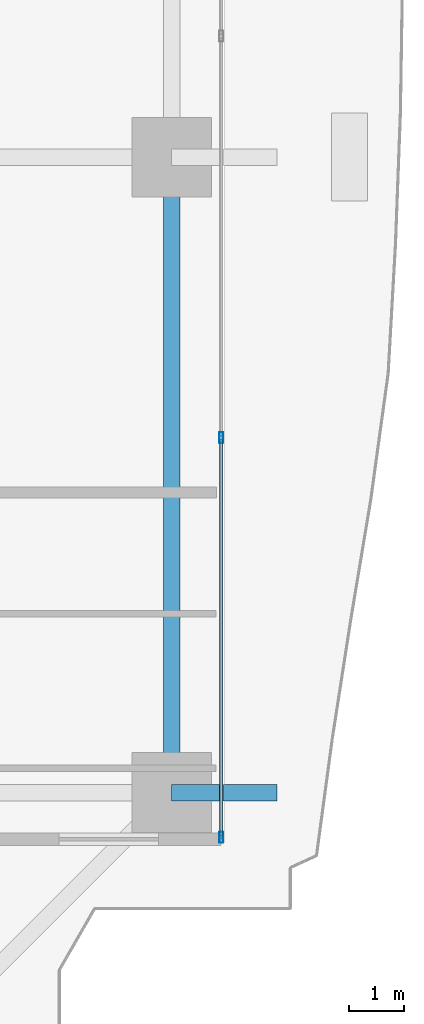
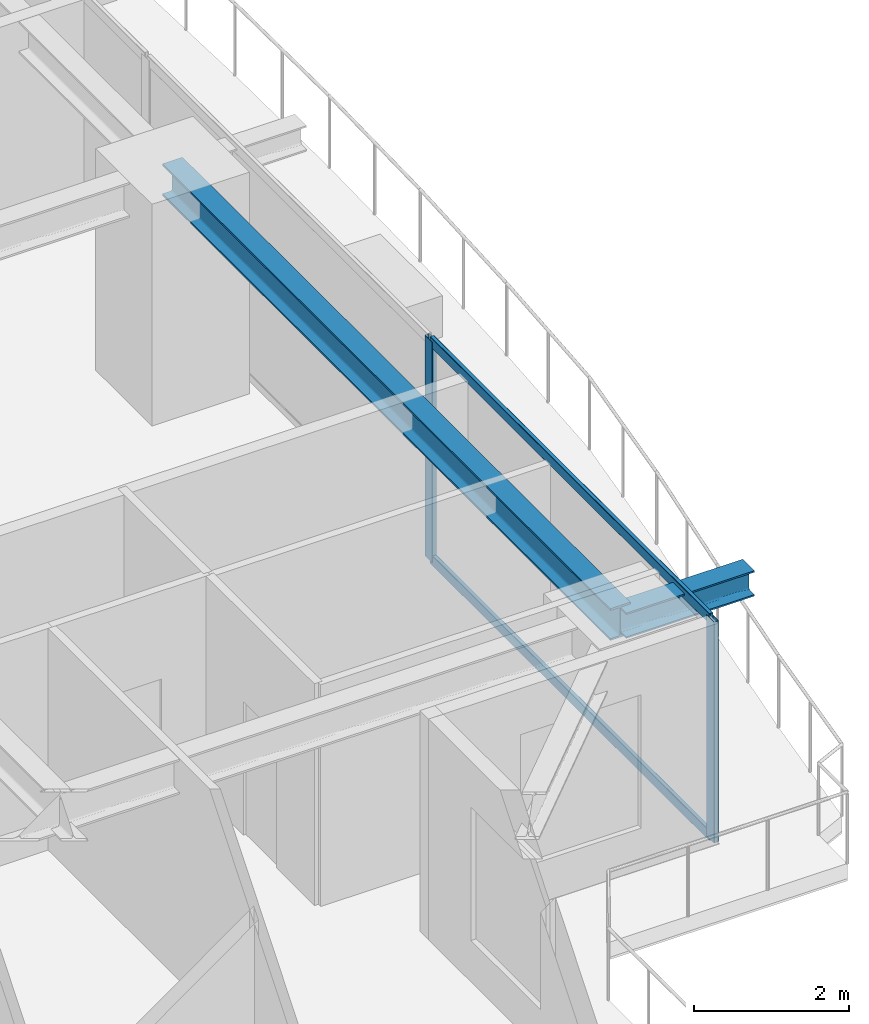
# One storey, part 12 of 38: 4 members, 2 beams, 1 element without a shape of its own.
"""IFC4 building model written with IfcOpenShell, lengths in metres."""

from ifc_helpers import new_model, si_unit, direction, frame, origin, origin_2d, place, context, subcontext, project, spatial, hollow_rectangle, i_section, extrude, source, transform, mapped, material, layer, layer_set, material_profile, profile_set, type_object, element, aggregate, save


model = new_model("IFC4")

# Units and contexts
model_context = context("Model", 3, precision=1e-05, world=origin(), true_north=direction((0.0, 1.0)))
body_context = subcontext(model_context, "Body", "Model", "MODEL_VIEW")
ifc_project = project(units=[si_unit("LENGTHUNIT", "METRE"), si_unit("AREAUNIT", "SQUARE_METRE"), si_unit("VOLUMEUNIT", "CUBIC_METRE"), si_unit("PLANEANGLEUNIT", "RADIAN"), si_unit("MASSUNIT", "GRAM", prefix="KILO")], contexts=[model_context])

# Site, building, storey
site_placement = place(None, origin())
site = spatial("IfcSite", under=ifc_project, at=site_placement, CompositionType="ELEMENT")
building_placement = place(site_placement, origin())
building = spatial("IfcBuilding", under=site, at=building_placement, Name="Serunith Strait Residences", CompositionType="ELEMENT")
storey_placement = place(building_placement, frame((0.0, 0.0, 52.949951171875)))
storey = spatial("IfcBuildingStorey", under=building, at=storey_placement, Name="L12", CompositionType="ELEMENT", Elevation=52.949951171875)

# Beams
ifc_material_1 = material(Name="Steel S355J2", Category="steel")
ifc_material_profile_1 = material_profile(ifc_material_1, i_section(OverallWidth=0.300048828125, OverallDepth=0.5, WebThickness=0.014404296875, FlangeThickness=0.028076171875, FilletRadius=0.027099609375, at=origin_2d()), Name="HEB 500")
ifc_profile_set_1 = profile_set([ifc_material_profile_1], Name="Steel S355J2")
beam_type_1 = type_object("IfcBeamType", Name="BM-HEB500", PredefinedType="BEAM", material=ifc_profile_set_1)
shared_shape_1 = source(origin(), body_context, "Body", "SweptSolid", [
    extrude(i_section(OverallWidth=0.300048828125, OverallDepth=0.5, WebThickness=0.014404296875, FlangeThickness=0.028076171875, FilletRadius=0.027099609375, at=origin_2d()), origin(), (0.0, 0.0, 1.0), 11.550048828125),
])
beam_1_placement = place(storey_placement, frame((57.89990234375, 9.449951171875, 3.237060546875), z_axis=(0.0, 1.0, 0.0), x_axis=(-1.0, 0.0, 0.0)))
element("IfcBeam", 1, at=beam_1_placement, inside=storey, type_object=beam_type_1, Name="L12 Perimeter Ring Beam 05", PredefinedType="BEAM", context=body_context, shape_type="MappedRepresentation", body=[
    mapped(shared_shape_1, transform((0.0, 0.0, 0.0), scale=1.0)),
])
ifc_material_profile_2 = material_profile(ifc_material_1, i_section(OverallWidth=0.300048828125, OverallDepth=0.39990234375, WebThickness=0.013427734375, FlangeThickness=0.02392578125, FilletRadius=0.027099609375, at=origin_2d()), Name="HEB 400")
ifc_profile_set_2 = profile_set([ifc_material_profile_2], Name="Steel S355J2")
beam_type_2 = type_object("IfcBeamType", Name="BM-HEB400", PredefinedType="BEAM", material=ifc_profile_set_2)
shared_shape_2 = source(origin(), body_context, "Body", "SweptSolid", [
    extrude(i_section(OverallWidth=0.300048828125, OverallDepth=0.39990234375, WebThickness=0.013427734375, FlangeThickness=0.02392578125, FilletRadius=0.027099609375, at=origin_2d()), origin(), (0.0, 0.0, 1.0), 1.91015625),
])
beam_2_placement = place(storey_placement, frame((57.89990234375, 9.449951171875, 3.257080078125), z_axis=(1.0, 0.0, 0.0), x_axis=(0.0, 1.0, 0.0)))
element("IfcBeam", 2, at=beam_2_placement, inside=storey, type_object=beam_type_2, Name="L13 Cantilevered Balcony Rib TC-E1", PredefinedType="BEAM", context=body_context, shape_type="MappedRepresentation", body=[
    mapped(shared_shape_2, transform((0.0, 0.0, 0.0), scale=1.0)),
])

# Curtain wall, members
ifc_material_2 = material(Name="Pale-Champagne Anodised Aluminium", Category="aluminium")
ifc_layer = layer(ifc_material_2, 0.199951171875, Name="Pale-Champagne Anodised Aluminium")
ifc_layer_set = layer_set([ifc_layer], Name="Pale-Champagne Anodised Aluminium")
curtain_wall_type = type_object("IfcCurtainWallType", Name="CW-SYS1", PredefinedType="NOTDEFINED", material=ifc_layer_set)
curtain_wall_placement = place(storey_placement, origin())
curtain_wall = element("IfcCurtainWall", 3, at=curtain_wall_placement, inside=storey, type_object=curtain_wall_type, Name="L12 E Unitised Fritted Curtain Wall", PredefinedType="NOTDEFINED")
ifc_material_profile_3 = material_profile(ifc_material_2, hollow_rectangle(XDim=0.070068359375, YDim=0.199951171875, WallThickness=0.00390625, InnerFilletRadius=0.006103515625, OuterFilletRadius=0.010009765625, at=origin_2d()), Name="ALU 200x70x4")
ifc_profile_set_3 = profile_set([ifc_material_profile_3], Name="Pale-Champagne Anodised Aluminium")
member_type_1 = type_object("IfcMemberType", Name="CW-SYS1-MULL", PredefinedType="MULLION", material=ifc_profile_set_3)
shared_shape_3 = source(origin(), body_context, "Body", "SweptSolid", [
    extrude(hollow_rectangle(XDim=0.070068359375, YDim=0.199951171875, WallThickness=0.00390625, InnerFilletRadius=0.006103515625, OuterFilletRadius=0.010009765625, at=origin_2d()), origin(), (0.0, 0.0, 1.0), 3.47509765625),
])
member_1_placement = place(storey_placement, frame((58.800048828125, 8.635009765625, 0.0), z_axis=(0.0, 0.0, 1.0), x_axis=(-1.0, 0.0, 0.0)))
member_1 = element("IfcMember", 4, at=member_1_placement, type_object=member_type_1, Name="CW-1 mullion 1", PredefinedType="MULLION", context=body_context, shape_type="MappedRepresentation", body=[
    mapped(shared_shape_3, transform((0.0, 0.0, 0.0), scale=1.0)),
])
member_2_placement = place(storey_placement, frame((58.800048828125, 15.89990234375, 0.0), z_axis=(0.0, 0.0, 1.0), x_axis=(-1.0, 0.0, 0.0)))
member_2 = element("IfcMember", 5, at=member_2_placement, type_object=member_type_1, Name="CW-1 mullion 2", PredefinedType="MULLION", context=body_context, shape_type="MappedRepresentation", body=[
    mapped(shared_shape_3, transform((0.0, 0.0, 0.0), scale=1.0)),
])
ifc_material_profile_4 = material_profile(ifc_material_2, hollow_rectangle(XDim=0.06005859375, YDim=0.159912109375, WallThickness=0.00341796875, InnerFilletRadius=0.00537109375, OuterFilletRadius=0.0087890625, at=origin_2d()), Name="ALU 160x60x3.5")
ifc_profile_set_4 = profile_set([ifc_material_profile_4], Name="Pale-Champagne Anodised Aluminium")
member_type_2 = type_object("IfcMemberType", Name="CW-SYS1-TRAN", PredefinedType="USERDEFINED", material=ifc_profile_set_4)
shared_shape_4 = source(origin(), body_context, "Body", "SweptSolid", [
    extrude(hollow_rectangle(XDim=0.06005859375, YDim=0.159912109375, WallThickness=0.00341796875, InnerFilletRadius=0.00537109375, OuterFilletRadius=0.0087890625, at=origin_2d()), origin(), (0.0, 0.0, 1.0), 7.195068359375),
])
member_3_placement = place(storey_placement, frame((58.800048828125, 8.669921875, 0.030029296875), z_axis=(0.0, 1.0, 0.0), x_axis=(-1.0, 0.0, 0.0)))
member_3 = element("IfcMember", 6, at=member_3_placement, type_object=member_type_2, Name="CW-1 transom 1.1", ObjectType="TRANSOM", PredefinedType="USERDEFINED", context=body_context, shape_type="MappedRepresentation", body=[
    mapped(shared_shape_4, transform((0.0, 0.0, 0.0), scale=1.0)),
])
member_4_placement = place(storey_placement, frame((58.800048828125, 8.669921875, 3.445068359375), z_axis=(0.0, 1.0, 0.0), x_axis=(-1.0, 0.0, 0.0)))
member_4 = element("IfcMember", 7, at=member_4_placement, type_object=member_type_2, Name="CW-1 transom 1.2", ObjectType="TRANSOM", PredefinedType="USERDEFINED", context=body_context, shape_type="MappedRepresentation", body=[
    mapped(shared_shape_4, transform((0.0, 0.0, 0.0), scale=1.0)),
])
aggregate(curtain_wall, [member_1, member_2, member_3, member_4])

save(model, "model.ifc")
